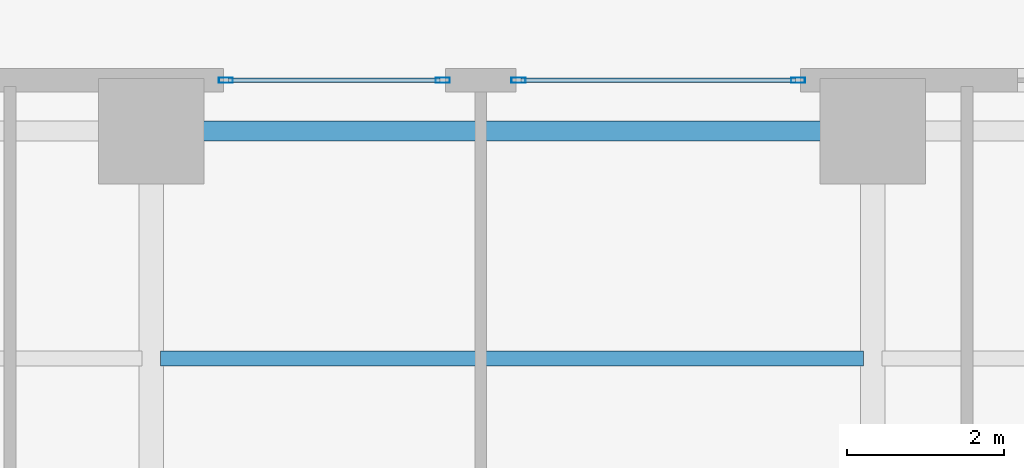
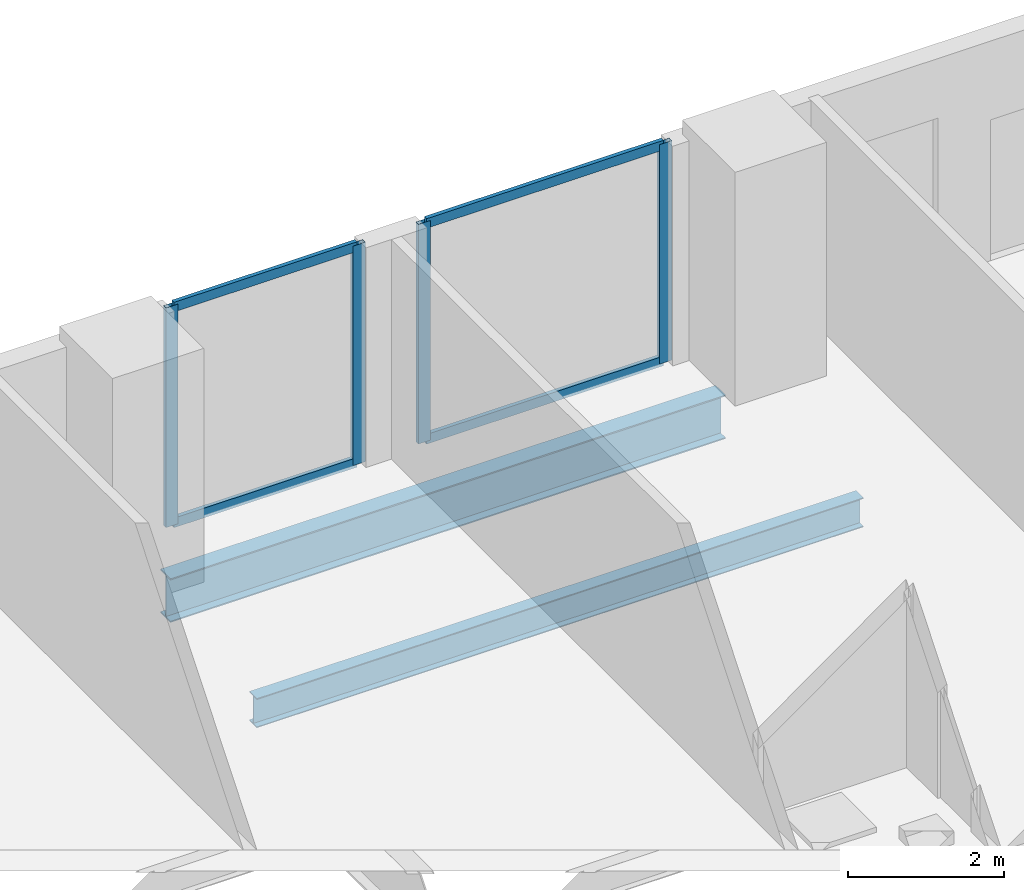
# One storey, part 16 of 28: 8 members, 2 beams, 2 elements without a shape of their own.
"""IFC4 building model written with IfcOpenShell, lengths in metres."""

from ifc_helpers import new_model, si_unit, direction, frame, origin, origin_2d, place, context, subcontext, project, spatial, hollow_rectangle, i_section, extrude, material, layer, layer_set, material_profile, profile_set, type_object, element, aggregate, save


model = new_model("IFC4")

# Units and contexts
model_context = context("Model", 3, precision=1e-05, world=origin(), true_north=direction((0.0, 1.0)))
body_context = subcontext(model_context, "Body", "Model", "MODEL_VIEW")
ifc_project = project(units=[si_unit("LENGTHUNIT", "METRE"), si_unit("AREAUNIT", "SQUARE_METRE"), si_unit("VOLUMEUNIT", "CUBIC_METRE"), si_unit("PLANEANGLEUNIT", "RADIAN"), si_unit("MASSUNIT", "GRAM", prefix="KILO")], contexts=[model_context])

# Site, building, storey
site_placement = place(None, origin())
site = spatial("IfcSite", under=ifc_project, at=site_placement, CompositionType="ELEMENT")
building_placement = place(site_placement, origin())
building = spatial("IfcBuilding", under=site, at=building_placement, Name="Zuhayl Quay Hotel", CompositionType="ELEMENT")
storey_placement = place(building_placement, frame((0.0, 0.0, 99.300048828125)))
storey = spatial("IfcBuildingStorey", under=building, at=storey_placement, Name="L24", CompositionType="ELEMENT", Elevation=99.300048828125)

# Beams
ifc_material_1 = material(Name="Steel ASTM A992 Grade 50", Category="steel")
ifc_material_profile_1 = material_profile(ifc_material_1, i_section(OverallWidth=0.25390625, OverallDepth=0.68310546875, WebThickness=0.012451171875, FlangeThickness=0.018798828125, at=origin_2d()), Name="W27X94")
ifc_profile_set_1 = profile_set([ifc_material_profile_1], Name="Steel ASTM A992 Grade 50")
beam_type_1 = type_object("IfcBeamType", Name="BM_B2_W27X94", PredefinedType="BEAM", material=ifc_profile_set_1)
beam_1_placement = place(storey_placement, frame((4.10009765625, 27.75, -0.5615234375), z_axis=(-1.0, 0.0, 0.0), x_axis=(0.0, -1.0, 0.0)))
element("IfcBeam", 1, at=beam_1_placement, inside=storey, type_object=beam_type_1, Name="L24 Floor Beam RG_L24_08", PredefinedType="BEAM", context=body_context, shape_type="SweptSolid", body=[
    extrude(i_section(OverallWidth=0.25390625, OverallDepth=0.68310546875, WebThickness=0.012451171875, FlangeThickness=0.018798828125, at=origin_2d()), origin(), (0.0, 0.0, 1.0), 8.2001953125),
])
ifc_material_profile_2 = material_profile(ifc_material_1, i_section(OverallWidth=0.18994140625, OverallDepth=0.45703125, WebThickness=0.009033203125, FlangeThickness=0.014404296875, at=origin_2d()), Name="W18X50")
ifc_profile_set_2 = profile_set([ifc_material_profile_2], Name="Steel ASTM A992 Grade 50")
beam_type_2 = type_object("IfcBeamType", Name="BM_J2_W18X50", PredefinedType="JOIST", material=ifc_profile_set_2)
beam_2_placement = place(storey_placement, frame((-4.48095703125, 24.85009765625, -0.448486328125), z_axis=(1.0, 0.0, 0.0), x_axis=(0.0, 1.0, 0.0)))
element("IfcBeam", 2, at=beam_2_placement, inside=storey, type_object=beam_type_2, Name="L24 Floor Beam FJ_L24_4_2", PredefinedType="JOIST", context=body_context, shape_type="SweptSolid", body=[
    extrude(i_section(OverallWidth=0.18994140625, OverallDepth=0.45703125, WebThickness=0.009033203125, FlangeThickness=0.014404296875, at=origin_2d()), origin(), (0.0, 0.0, 1.0), 8.9619140625),
])

# Curtain wall, members
ifc_material_2 = material(Name="Anodised Aluminium 6063-T6", Category="aluminium")
ifc_layer = layer(ifc_material_2, 0.179931640625, Name="Anodised Aluminium 6063-T6", Category="aluminium")
ifc_layer_set = layer_set([ifc_layer], Name="Anodised Aluminium 6063-T6")
curtain_wall_type = type_object("IfcCurtainWallType", Name="CW_SYS_Z2", PredefinedType="USERDEFINED", material=ifc_layer_set)
curtain_wall_1_placement = place(storey_placement, origin())
curtain_wall_1 = element("IfcCurtainWall", 3, at=curtain_wall_1_placement, inside=storey, type_object=curtain_wall_type, Name="L24 Curtain Wall ENV_L24_N_CW2", ObjectType="UNITISED CURTAIN WALL", PredefinedType="USERDEFINED")
ifc_material_3 = material(Name="Black-anodised aluminium 6063-T6", Category="aluminium")
ifc_material_profile_3 = material_profile(ifc_material_3, hollow_rectangle(XDim=0.06494140625, YDim=0.179931640625, WallThickness=0.00341796875, at=origin_2d()), Name="ALU180X65")
ifc_profile_set_3 = profile_set([ifc_material_profile_3], Name="Black-anodised aluminium 6063-T6")
member_type_1 = type_object("IfcMemberType", Name="MB_CW_MUL_180", PredefinedType="MULLION", material=ifc_profile_set_3)
member_1_placement = place(storey_placement, frame((-3.6474609375, 28.39990234375, 0.0), z_axis=(0.0, 0.0, 1.0), x_axis=(0.0, 1.0, 0.0)))
member_1 = element("IfcMember", 4, at=member_1_placement, type_object=member_type_1, Name="CW-Z2 mullion 1", PredefinedType="MULLION", context=body_context, shape_type="SweptSolid", body=[
    extrude(hollow_rectangle(XDim=0.06494140625, YDim=0.179931640625, WallThickness=0.00341796875, at=origin_2d()), origin(), (0.0, 0.0, 1.0), 3.429931640625),
])
member_2_placement = place(storey_placement, frame((-0.882568359375, 28.39990234375, 0.0), z_axis=(0.0, 0.0, 1.0), x_axis=(0.0, 1.0, 0.0)))
member_2 = element("IfcMember", 5, at=member_2_placement, type_object=member_type_1, Name="CW-Z2 mullion 2", PredefinedType="MULLION", context=body_context, shape_type="SweptSolid", body=[
    extrude(hollow_rectangle(XDim=0.06494140625, YDim=0.179931640625, WallThickness=0.00341796875, at=origin_2d()), origin(), (0.0, 0.0, 1.0), 3.429931640625),
])

curtain_wall_2_placement = place(storey_placement, origin())
curtain_wall_2 = element("IfcCurtainWall", 6, at=curtain_wall_2_placement, inside=storey, type_object=curtain_wall_type, Name="L24 Curtain Wall ENV_L24_N_CW3", ObjectType="UNITISED CURTAIN WALL", PredefinedType="USERDEFINED")
member_3_placement = place(storey_placement, frame((0.08251953125, 28.39990234375, 0.0), z_axis=(0.0, 0.0, 1.0), x_axis=(0.0, 1.0, 0.0)))
member_3 = element("IfcMember", 7, at=member_3_placement, type_object=member_type_1, Name="CW-Z2 mullion 1", PredefinedType="MULLION", context=body_context, shape_type="SweptSolid", body=[
    extrude(hollow_rectangle(XDim=0.06494140625, YDim=0.179931640625, WallThickness=0.00341796875, at=origin_2d()), origin(), (0.0, 0.0, 1.0), 3.429931640625),
])
member_4_placement = place(storey_placement, frame((3.6474609375, 28.39990234375, 0.0), z_axis=(0.0, 0.0, 1.0), x_axis=(0.0, 1.0, 0.0)))
member_4 = element("IfcMember", 8, at=member_4_placement, type_object=member_type_1, Name="CW-Z2 mullion 2", PredefinedType="MULLION", context=body_context, shape_type="SweptSolid", body=[
    extrude(hollow_rectangle(XDim=0.06494140625, YDim=0.179931640625, WallThickness=0.00341796875, at=origin_2d()), origin(), (0.0, 0.0, 1.0), 3.429931640625),
])

# Member
ifc_material_profile_4 = material_profile(ifc_material_3, hollow_rectangle(XDim=0.06005859375, YDim=0.14990234375, WallThickness=0.00341796875, at=origin_2d()), Name="ALU150X60")
ifc_profile_set_4 = profile_set([ifc_material_profile_4], Name="Black-anodised aluminium 6063-T6")
member_type_2 = type_object("IfcMemberType", Name="MB_CW_TRN_150", PredefinedType="USERDEFINED", material=ifc_profile_set_4)
member_5_placement = place(storey_placement, frame((-3.614990234375, 28.39990234375, 0.030029296875), z_axis=(1.0, 0.0, 0.0), x_axis=(0.0, 1.0, 0.0)))
member_5 = element("IfcMember", 9, at=member_5_placement, type_object=member_type_2, Name="CW-Z2 transom 1.1", ObjectType="TRANSOM", PredefinedType="USERDEFINED", context=body_context, shape_type="SweptSolid", body=[
    extrude(hollow_rectangle(XDim=0.06005859375, YDim=0.14990234375, WallThickness=0.00341796875, at=origin_2d()), origin(), (0.0, 0.0, 1.0), 2.699951171875),
])

member_6_placement = place(storey_placement, frame((-3.614990234375, 28.39990234375, 3.39990234375), z_axis=(1.0, 0.0, 0.0), x_axis=(0.0, 1.0, 0.0)))
member_6 = element("IfcMember", 10, at=member_6_placement, type_object=member_type_2, Name="CW-Z2 transom 1.2", ObjectType="TRANSOM", PredefinedType="USERDEFINED", context=body_context, shape_type="SweptSolid", body=[
    extrude(hollow_rectangle(XDim=0.06005859375, YDim=0.14990234375, WallThickness=0.00341796875, at=origin_2d()), origin(), (0.0, 0.0, 1.0), 2.699951171875),
])

aggregate(curtain_wall_1, [member_1, member_2, member_5, member_6])

member_7_placement = place(storey_placement, frame((0.114990234375, 28.39990234375, 0.030029296875), z_axis=(1.0, 0.0, 0.0), x_axis=(0.0, 1.0, 0.0)))
member_7 = element("IfcMember", 11, at=member_7_placement, type_object=member_type_2, Name="CW-Z2 transom 1.1", ObjectType="TRANSOM", PredefinedType="USERDEFINED", context=body_context, shape_type="SweptSolid", body=[
    extrude(hollow_rectangle(XDim=0.06005859375, YDim=0.14990234375, WallThickness=0.00341796875, at=origin_2d()), origin(), (0.0, 0.0, 1.0), 3.5),
])

member_8_placement = place(storey_placement, frame((0.114990234375, 28.39990234375, 3.39990234375), z_axis=(1.0, 0.0, 0.0), x_axis=(0.0, 1.0, 0.0)))
member_8 = element("IfcMember", 12, at=member_8_placement, type_object=member_type_2, Name="CW-Z2 transom 1.2", ObjectType="TRANSOM", PredefinedType="USERDEFINED", context=body_context, shape_type="SweptSolid", body=[
    extrude(hollow_rectangle(XDim=0.06005859375, YDim=0.14990234375, WallThickness=0.00341796875, at=origin_2d()), origin(), (0.0, 0.0, 1.0), 3.5),
])

aggregate(curtain_wall_2, [member_3, member_4, member_7, member_8])

save(model, "model.ifc")
